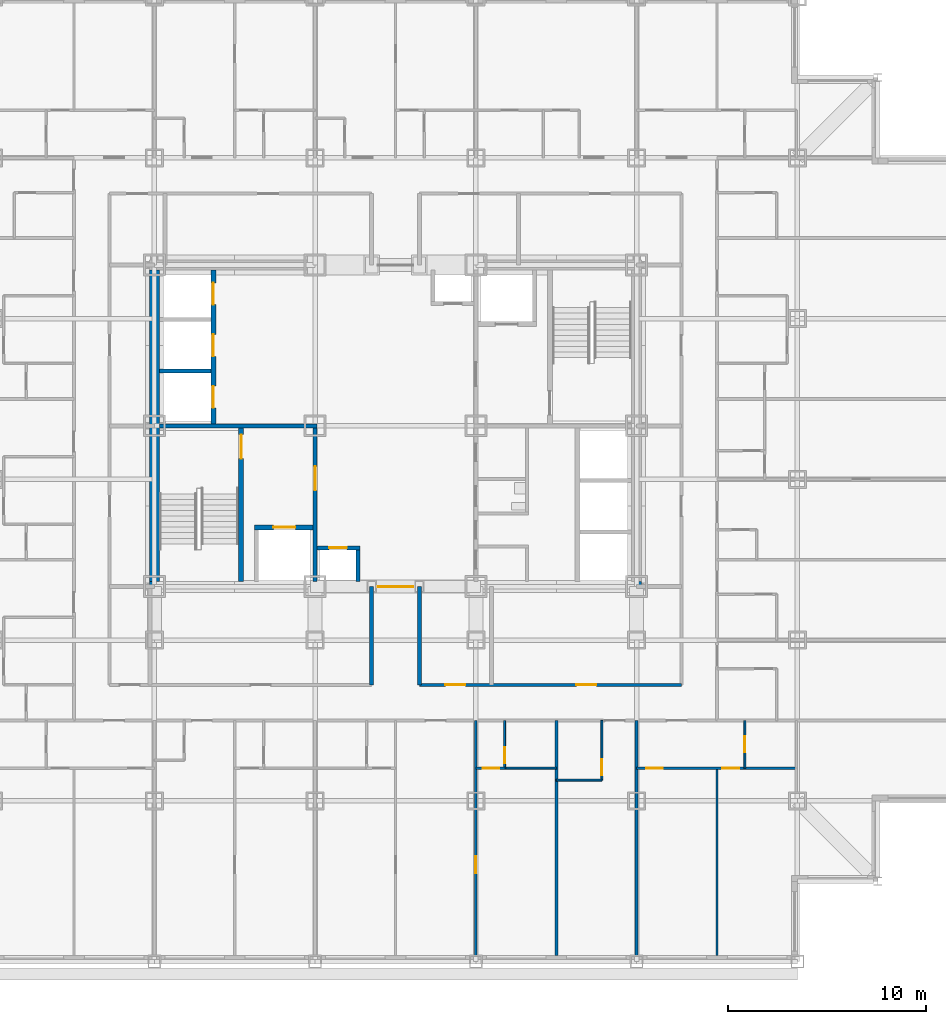
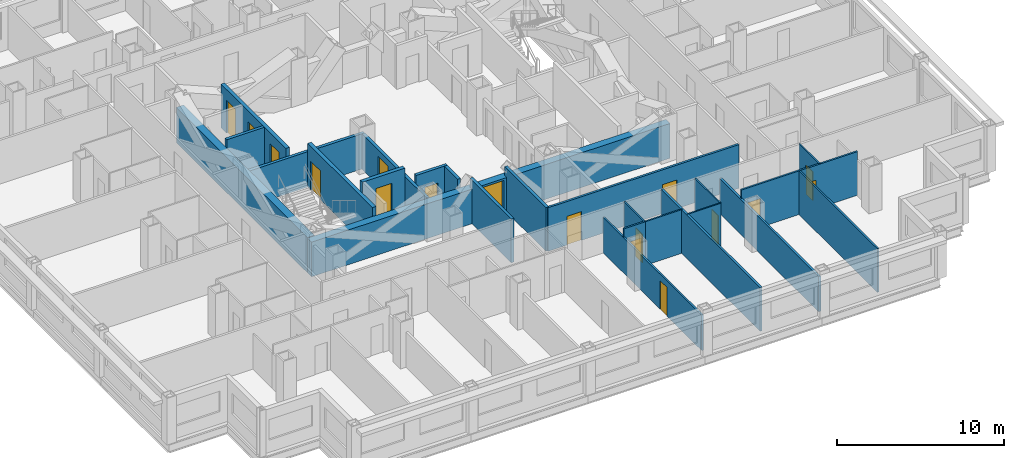
# One storey, part 6 of 13: 24 walls, 17 doors, 17 openings.
"""IFC4 building model written with IfcOpenShell, lengths in metres."""

from ifc_helpers import new_model, si_unit, direction, frame, frame_2d, origin, place, context, subcontext, project, spatial, rectangle, extrude, material, layer, layer_set, type_object, element, fill, save


model = new_model("IFC4")

# Units and contexts
model_context = context("Model", 3, precision=1e-05, world=origin(), true_north=direction((0.0, 1.0)))
body_context = subcontext(model_context, "Body", "Model", "MODEL_VIEW")
ifc_project = project(units=[si_unit("LENGTHUNIT", "METRE"), si_unit("AREAUNIT", "SQUARE_METRE"), si_unit("VOLUMEUNIT", "CUBIC_METRE"), si_unit("PLANEANGLEUNIT", "RADIAN"), si_unit("MASSUNIT", "GRAM", prefix="KILO")], contexts=[model_context])

# Site, building, storey
site_placement = place(None, origin())
site = spatial("IfcSite", under=ifc_project, at=site_placement, CompositionType="ELEMENT")
building_placement = place(site_placement, origin())
building = spatial("IfcBuilding", under=site, at=building_placement, Name="Kopane Lantern Tower", CompositionType="ELEMENT")
storey_placement = place(building_placement, frame((0.0, 0.0, 113.60009765625)))
storey = spatial("IfcBuildingStorey", under=building, at=storey_placement, Name="L28", CompositionType="ELEMENT", Elevation=113.60009765625)

# Wall, opening, door
ifc_material_1 = material(Name="Gypsum board on steel studs", Category="steel")
ifc_layer_1 = layer(ifc_material_1, 0.1201171875)
ifc_layer_set_1 = layer_set([ifc_layer_1], Name="APARTMENT INTERNAL WALL 120")
wall_type_1 = type_object("IfcWallType", Name="APARTMENT INTERNAL WALL 120", PredefinedType="PARTITIONING", material=ifc_layer_set_1)
wall_1_placement = place(storey_placement, frame((32.39990234375, 17.550048828125, 0.0), z_axis=(0.0, 0.0, 1.0), x_axis=(0.0, -1.0, 0.0)))
wall_1 = element("IfcWall", 1, at=wall_1_placement, inside=storey, type_object=wall_type_1, Name="Apartment Internal Wall 120 L28", PredefinedType="PARTITIONING", context=body_context, shape_type="SweptSolid", body=[
    extrude(rectangle(XDim=11.85009765625, YDim=0.1201171875, at=frame_2d((5.925048828125, 0.0))), origin(), (0.0, 0.0, 1.0), 2.57763671875),
])
opening_1_placement = place(wall_1_placement, frame((6.85009765625, 0.0, 0.0)))
opening_1 = element("IfcOpeningElement", 2, at=opening_1_placement, cuts=wall_1, Name="Opening L28-021", PredefinedType="OPENING", context=body_context, shape_type="SweptSolid", body=[
    extrude(rectangle(XDim=0.85009765625, YDim=2.10009765625, at=frame_2d((0.425048828125, 1.050048828125))), frame((0.0, 0.070068359375, 0.0), z_axis=(0.0, -1.0, 0.0), x_axis=(1.0, 0.0, 0.0)), (0.0, 0.0, 1.0), 0.14013671875),
])
ifc_material_2 = material(Name="Timber door set", Category="wood")
door_type_1 = type_object("IfcDoorType", Name="DOOR D4 850x2100", OperationType="SINGLE_SWING_LEFT", PredefinedType="DOOR", material=ifc_material_2)
door_1_placement = place(opening_1_placement, origin())
door_1 = element("IfcDoor", 3, at=door_1_placement, inside=storey, type_object=door_type_1, Name="Door L28-021", OperationType="SINGLE_SWING_LEFT", OverallHeight=2.10009765625, OverallWidth=0.85009765625, PredefinedType="DOOR", context=body_context, shape_type="SweptSolid", body=[
    extrude(rectangle(XDim=0.85009765625, YDim=2.10009765625, at=frame_2d((0.425048828125, 1.050048828125))), frame((0.0, 0.02490234375, 0.0), z_axis=(0.0, -1.0, 0.0), x_axis=(1.0, 0.0, 0.0)), (0.0, 0.0, 1.0), 0.050048828125),
])
fill(opening_1, door_1)

# Wall, openings, doors
wall_2_placement = place(storey_placement, frame((40.5, 15.14990234375, 0.0), z_axis=(0.0, 0.0, 1.0), x_axis=(1.0, 0.0, 0.0)))
wall_2 = element("IfcWall", 4, at=wall_2_placement, inside=storey, type_object=wall_type_1, Name="Apartment Internal Wall 120 L28", PredefinedType="PARTITIONING", context=body_context, shape_type="SweptSolid", body=[
    extrude(rectangle(XDim=8.050048828125, YDim=0.1201171875, at=frame_2d((4.02490234375, 0.0))), origin(), (0.0, 0.0, 1.0), 3.18994140625),
])
opening_2_placement = place(wall_2_placement, frame((0.47509765625, 0.0, 0.0)))
opening_2 = element("IfcOpeningElement", 5, at=opening_2_placement, cuts=wall_2, Name="Opening L28-064", PredefinedType="OPENING", context=body_context, shape_type="SweptSolid", body=[
    extrude(rectangle(XDim=0.85009765625, YDim=2.10009765625, at=frame_2d((0.425048828125, 1.050048828125))), frame((0.0, 0.070068359375, 0.0), z_axis=(0.0, -1.0, 0.0), x_axis=(1.0, 0.0, 0.0)), (0.0, 0.0, 1.0), 0.14013671875),
])
opening_3_placement = place(wall_2_placement, frame((4.324951171875, 0.0, 0.0)))
opening_3 = element("IfcOpeningElement", 6, at=opening_3_placement, cuts=wall_2, Name="Opening L28-066", PredefinedType="OPENING", context=body_context, shape_type="SweptSolid", body=[
    extrude(rectangle(XDim=0.85009765625, YDim=2.10009765625, at=frame_2d((0.425048828125, 1.050048828125))), frame((0.0, 0.070068359375, 0.0), z_axis=(0.0, -1.0, 0.0), x_axis=(1.0, 0.0, 0.0)), (0.0, 0.0, 1.0), 0.14013671875),
])
door_2_placement = place(opening_2_placement, origin())
door_2 = element("IfcDoor", 7, at=door_2_placement, inside=storey, type_object=door_type_1, Name="Door L28-064", OperationType="SINGLE_SWING_LEFT", OverallHeight=2.10009765625, OverallWidth=0.85009765625, PredefinedType="DOOR", context=body_context, shape_type="SweptSolid", body=[
    extrude(rectangle(XDim=0.85009765625, YDim=2.10009765625, at=frame_2d((0.425048828125, 1.050048828125))), frame((0.0, 0.02490234375, 0.0), z_axis=(0.0, -1.0, 0.0), x_axis=(1.0, 0.0, 0.0)), (0.0, 0.0, 1.0), 0.050048828125),
])
fill(opening_2, door_2)
door_3_placement = place(opening_3_placement, origin())
door_3 = element("IfcDoor", 8, at=door_3_placement, inside=storey, type_object=door_type_1, Name="Door L28-066", OperationType="SINGLE_SWING_RIGHT", OverallHeight=2.10009765625, OverallWidth=0.85009765625, PredefinedType="DOOR", context=body_context, shape_type="SweptSolid", body=[
    extrude(rectangle(XDim=0.85009765625, YDim=2.10009765625, at=frame_2d((0.425048828125, 1.050048828125))), frame((0.0, 0.02490234375, 0.0), z_axis=(0.0, -1.0, 0.0), x_axis=(1.0, 0.0, 0.0)), (0.0, 0.0, 1.0), 0.050048828125),
])
fill(opening_3, door_3)

# Wall
wall_3_placement = place(storey_placement, frame((44.550048828125, 15.14990234375, 0.0), z_axis=(0.0, 0.0, 1.0), x_axis=(0.0, -1.0, 0.0)))
element("IfcWall", 9, at=wall_3_placement, inside=storey, type_object=wall_type_1, Name="Apartment Internal Wall 120 L28", PredefinedType="PARTITIONING", context=body_context, shape_type="SweptSolid", body=[
    extrude(rectangle(XDim=9.449951171875, YDim=0.1201171875, at=frame_2d((4.72509765625, 0.0))), origin(), (0.0, 0.0, 1.0), 3.18994140625),
])

# Wall, opening, door
wall_4_placement = place(storey_placement, frame((33.860107421875, 15.14990234375, 0.0), z_axis=(0.0, 0.0, 1.0), x_axis=(-1.0, 0.0, 0.0)))
wall_4 = element("IfcWall", 10, at=wall_4_placement, inside=storey, type_object=wall_type_1, Name="Apartment Internal Wall 120 L28", PredefinedType="PARTITIONING", context=body_context, shape_type="SweptSolid", body=[
    extrude(rectangle(XDim=1.460205078125, YDim=0.1201171875, at=frame_2d((0.72998046875, 0.0))), origin(), (0.0, 0.0, 1.0), 3.18994140625),
])
opening_4_placement = place(wall_4_placement, frame((0.27490234375, 0.0, 0.0)))
opening_4 = element("IfcOpeningElement", 11, at=opening_4_placement, cuts=wall_4, Name="Opening L28-077", PredefinedType="OPENING", context=body_context, shape_type="SweptSolid", body=[
    extrude(rectangle(XDim=0.85009765625, YDim=2.10009765625, at=frame_2d((0.425048828125, 1.050048828125))), frame((0.0, 0.070068359375, 0.0), z_axis=(0.0, -1.0, 0.0), x_axis=(1.0, 0.0, 0.0)), (0.0, 0.0, 1.0), 0.14013671875),
])
door_4_placement = place(opening_4_placement, origin())
door_4 = element("IfcDoor", 12, at=door_4_placement, inside=storey, type_object=door_type_1, Name="Door L28-077", OperationType="SINGLE_SWING_RIGHT", OverallHeight=2.10009765625, OverallWidth=0.85009765625, PredefinedType="DOOR", context=body_context, shape_type="SweptSolid", body=[
    extrude(rectangle(XDim=0.85009765625, YDim=2.10009765625, at=frame_2d((0.425048828125, 1.050048828125))), frame((0.0, 0.02490234375, 0.0), z_axis=(0.0, -1.0, 0.0), x_axis=(1.0, 0.0, 0.0)), (0.0, 0.0, 1.0), 0.050048828125),
])
fill(opening_4, door_4)

# Wall
ifc_material_3 = material(Name="Moisture-resistant board on steel studs", Category="steel")
ifc_layer_2 = layer(ifc_material_3, 0.10009765625)
ifc_layer_set_2 = layer_set([ifc_layer_2], Name="BATHROOM WALL 100")
wall_type_2 = type_object("IfcWallType", Name="BATHROOM WALL 100", PredefinedType="PARTITIONING", material=ifc_layer_set_2)
wall_5_placement = place(storey_placement, frame((33.85009765625, 15.14990234375, 0.0), z_axis=(0.0, 0.0, 1.0), x_axis=(1.0, 0.0, 0.0)))
element("IfcWall", 13, at=wall_5_placement, inside=storey, type_object=wall_type_2, Name="Bathroom Wall 100 L28", PredefinedType="PARTITIONING", context=body_context, shape_type="SweptSolid", body=[
    extrude(rectangle(XDim=2.599853515625, YDim=0.10009765625, at=frame_2d((1.2998046875, 0.0))), origin(), (0.0, 0.0, 1.0), 3.18994140625),
])

# Wall, opening, door
wall_6_placement = place(storey_placement, frame((33.85009765625, 17.550048828125, 0.0), z_axis=(0.0, 0.0, 1.0), x_axis=(0.0, -1.0, 0.0)))
wall_6 = element("IfcWall", 14, at=wall_6_placement, inside=storey, type_object=wall_type_2, Name="Bathroom Wall 100 L28", PredefinedType="PARTITIONING", context=body_context, shape_type="SweptSolid", body=[
    extrude(rectangle(XDim=2.400146484375, YDim=0.10009765625, at=frame_2d((1.2001953125, 0.0))), origin(), (0.0, 0.0, 1.0), 3.18994140625),
])
opening_5_placement = place(wall_6_placement, frame((1.35009765625, 0.0, 0.0)))
opening_5 = element("IfcOpeningElement", 15, at=opening_5_placement, cuts=wall_6, Name="Opening L28-020", PredefinedType="OPENING", context=body_context, shape_type="SweptSolid", body=[
    extrude(rectangle(XDim=0.800048828125, YDim=2.10009765625, at=frame_2d((0.39990234375, 1.050048828125))), frame((0.0, 0.06005859375, 0.0), z_axis=(0.0, -1.0, 0.0), x_axis=(1.0, 0.0, 0.0)), (0.0, 0.0, 1.0), 0.1201171875),
])
ifc_material_4 = material(Name="Timber door set", Category="wood")
door_type_2 = type_object("IfcDoorType", Name="DOOR D2 800x2100", OperationType="SINGLE_SWING_LEFT", PredefinedType="DOOR", material=ifc_material_4)
door_5_placement = place(opening_5_placement, origin())
door_5 = element("IfcDoor", 16, at=door_5_placement, inside=storey, type_object=door_type_2, Name="Door L28-020", OperationType="SINGLE_SWING_LEFT", OverallHeight=2.10009765625, OverallWidth=0.800048828125, PredefinedType="DOOR", context=body_context, shape_type="SweptSolid", body=[
    extrude(rectangle(XDim=0.800048828125, YDim=2.10009765625, at=frame_2d((0.39990234375, 1.050048828125))), frame((0.0, 0.02490234375, 0.0), z_axis=(0.0, -1.0, 0.0), x_axis=(1.0, 0.0, 0.0)), (0.0, 0.0, 1.0), 0.050048828125),
])
fill(opening_5, door_5)

# Wall
wall_7_placement = place(storey_placement, frame((36.449951171875, 14.550048828125, 0.0), z_axis=(0.0, 0.0, 1.0), x_axis=(1.0, 0.0, 0.0)))
element("IfcWall", 17, at=wall_7_placement, inside=storey, type_object=wall_type_2, Name="Bathroom Wall 100 L28", PredefinedType="PARTITIONING", context=body_context, shape_type="SweptSolid", body=[
    extrude(rectangle(XDim=2.300048828125, YDim=0.10009765625, at=frame_2d((1.14990234375, 0.0))), origin(), (0.0, 0.0, 1.0), 3.18994140625),
])

# Wall, opening, door
wall_8_placement = place(storey_placement, frame((38.75, 17.550048828125, 0.0), z_axis=(0.0, 0.0, 1.0), x_axis=(0.0, -1.0, 0.0)))
wall_8 = element("IfcWall", 18, at=wall_8_placement, inside=storey, type_object=wall_type_2, Name="Bathroom Wall 100 L28", PredefinedType="PARTITIONING", context=body_context, shape_type="SweptSolid", body=[
    extrude(rectangle(XDim=3.0, YDim=0.10009765625, at=frame_2d((1.5, 0.0))), origin(), (0.0, 0.0, 1.0), 3.18994140625),
])
opening_6_placement = place(wall_8_placement, frame((1.949951171875, 0.0, 0.0)))
opening_6 = element("IfcOpeningElement", 19, at=opening_6_placement, cuts=wall_8, Name="Opening L28-022", PredefinedType="OPENING", context=body_context, shape_type="SweptSolid", body=[
    extrude(rectangle(XDim=0.800048828125, YDim=2.10009765625, at=frame_2d((0.39990234375, 1.050048828125))), frame((0.0, 0.06005859375, 0.0), z_axis=(0.0, -1.0, 0.0), x_axis=(1.0, 0.0, 0.0)), (0.0, 0.0, 1.0), 0.1201171875),
])
door_6_placement = place(opening_6_placement, origin())
door_6 = element("IfcDoor", 20, at=door_6_placement, inside=storey, type_object=door_type_2, Name="Door L28-022", OperationType="SINGLE_SWING_LEFT", OverallHeight=2.10009765625, OverallWidth=0.800048828125, PredefinedType="DOOR", context=body_context, shape_type="SweptSolid", body=[
    extrude(rectangle(XDim=0.800048828125, YDim=2.10009765625, at=frame_2d((0.39990234375, 1.050048828125))), frame((0.0, 0.02490234375, 0.0), z_axis=(0.0, -1.0, 0.0), x_axis=(1.0, 0.0, 0.0)), (0.0, 0.0, 1.0), 0.050048828125),
])
fill(opening_6, door_6)

wall_9_placement = place(storey_placement, frame((45.949951171875, 17.550048828125, 0.0), z_axis=(0.0, 0.0, 1.0), x_axis=(0.0, -1.0, 0.0)))
wall_9 = element("IfcWall", 21, at=wall_9_placement, inside=storey, type_object=wall_type_2, Name="Bathroom Wall 100 L28", PredefinedType="PARTITIONING", context=body_context, shape_type="SweptSolid", body=[
    extrude(rectangle(XDim=2.400146484375, YDim=0.10009765625, at=frame_2d((1.2001953125, 0.0))), origin(), (0.0, 0.0, 1.0), 3.18994140625),
])
opening_7_placement = place(wall_9_placement, frame((0.800048828125, 0.0, 0.0)))
opening_7 = element("IfcOpeningElement", 22, at=opening_7_placement, cuts=wall_9, Name="Opening L28-065", PredefinedType="OPENING", context=body_context, shape_type="SweptSolid", body=[
    extrude(rectangle(XDim=0.800048828125, YDim=2.10009765625, at=frame_2d((0.39990234375, 1.050048828125))), frame((0.0, 0.06005859375, 0.0), z_axis=(0.0, -1.0, 0.0), x_axis=(1.0, 0.0, 0.0)), (0.0, 0.0, 1.0), 0.1201171875),
])
door_7_placement = place(opening_7_placement, origin())
door_7 = element("IfcDoor", 23, at=door_7_placement, inside=storey, type_object=door_type_2, Name="Door L28-065", OperationType="SINGLE_SWING_LEFT", OverallHeight=2.10009765625, OverallWidth=0.800048828125, PredefinedType="DOOR", context=body_context, shape_type="SweptSolid", body=[
    extrude(rectangle(XDim=0.800048828125, YDim=2.10009765625, at=frame_2d((0.39990234375, 1.050048828125))), frame((0.0, 0.02490234375, 0.0), z_axis=(0.0, -1.0, 0.0), x_axis=(1.0, 0.0, 0.0)), (0.0, 0.0, 1.0), 0.050048828125),
])
fill(opening_7, door_7)

ifc_material_5 = material(Name="Gypsum shaft wall EI 120", Category="gypsum")
ifc_layer_3 = layer(ifc_material_5, 0.5)
ifc_layer_set_3 = layer_set([ifc_layer_3], Name="CORE PERIMETER WALL 500 EI 120")
wall_type_3 = type_object("IfcWallType", Name="CORE PERIMETER WALL 500 EI 120", PredefinedType="SOLIDWALL", material=ifc_layer_set_3)
wall_10_placement = place(storey_placement, frame((15.949951171875, 24.300048828125, 0.0), z_axis=(0.0, 0.0, 1.0), x_axis=(1.0, 0.0, 0.0)))
wall_10 = element("IfcWall", 24, at=wall_10_placement, inside=storey, type_object=wall_type_3, Name="Core shaft wall L28 PS", PredefinedType="SOLIDWALL", context=body_context, shape_type="SweptSolid", body=[
    extrude(rectangle(XDim=24.800048828125, YDim=0.5, at=frame_2d((12.39990234375, 0.0))), origin(), (0.0, 0.0, 1.0), 2.539794921875),
])
opening_8_placement = place(wall_10_placement, frame((11.5, 0.0, 0.0)))
opening_8 = element("IfcOpeningElement", 25, at=opening_8_placement, cuts=wall_10, Name="Opening 28.CE-S", PredefinedType="OPENING", context=body_context, shape_type="SweptSolid", body=[
    extrude(rectangle(XDim=1.800048828125, YDim=2.39990234375, at=frame_2d((0.89990234375, 1.199951171875))), frame((0.0, 0.260009765625, 0.0), z_axis=(0.0, -1.0, 0.0), x_axis=(1.0, 0.0, 0.0)), (0.0, 0.0, 1.0), 0.52001953125),
])
ifc_material_6 = material(Name="Steel door set", Category="steel")
door_type_3 = type_object("IfcDoorType", Name="CORE ENTRY DOOR 1800x2400 FD60S", OperationType="DOUBLE_DOOR_SINGLE_SWING", PredefinedType="DOOR", material=ifc_material_6)
door_8_placement = place(opening_8_placement, origin())
door_8 = element("IfcDoor", 26, at=door_8_placement, inside=storey, type_object=door_type_3, Name="Core entry door L28 south", OperationType="DOUBLE_DOOR_SINGLE_SWING", OverallHeight=2.39990234375, OverallWidth=1.800048828125, PredefinedType="DOOR", context=body_context, shape_type="SweptSolid", body=[
    extrude(rectangle(XDim=1.800048828125, YDim=2.39990234375, at=frame_2d((0.89990234375, 1.199951171875))), frame((0.0, 0.02490234375, 0.0), z_axis=(0.0, -1.0, 0.0), x_axis=(1.0, 0.0, 0.0)), (0.0, 0.0, 1.0), 0.050048828125),
])
fill(opening_8, door_8)

# Wall
wall_11_placement = place(storey_placement, frame((16.199951171875, 24.550048828125, 0.0), z_axis=(0.0, 0.0, 1.0), x_axis=(0.0, 1.0, 0.0)))
element("IfcWall", 27, at=wall_11_placement, inside=storey, type_object=wall_type_3, Name="Core shaft wall L28 PW", PredefinedType="SOLIDWALL", context=body_context, shape_type="SweptSolid", body=[
    extrude(rectangle(XDim=15.699951171875, YDim=0.5, at=frame_2d((7.85009765625, 0.0))), origin(), (0.0, 0.0, 1.0), 2.57763671875),
])

# Wall, opening, door
ifc_material_7 = material(Name="Gypsum shaft wall EI 120", Category="gypsum")
ifc_layer_4 = layer(ifc_material_7, 0.25)
ifc_layer_set_4 = layer_set([ifc_layer_4], Name="CORE SHAFT WALL 250 EI 120")
wall_type_4 = type_object("IfcWallType", Name="CORE SHAFT WALL 250 EI 120", PredefinedType="SOLIDWALL", material=ifc_layer_set_4)
wall_12_placement = place(storey_placement, frame((20.574951171875, 24.550048828125, 0.0), z_axis=(0.0, 0.0, 1.0), x_axis=(0.0, 1.0, 0.0)))
wall_12 = element("IfcWall", 28, at=wall_12_placement, inside=storey, type_object=wall_type_4, Name="Core shaft wall L28 XST1", PredefinedType="SOLIDWALL", context=body_context, shape_type="SweptSolid", body=[
    extrude(rectangle(XDim=7.75, YDim=0.25, at=frame_2d((3.875, 0.0))), origin(), (0.0, 0.0, 1.0), 3.18994140625),
])
opening_9_placement = place(wall_12_placement, frame((6.199951171875, 0.0, 0.0)))
opening_9 = element("IfcOpeningElement", 29, at=opening_9_placement, cuts=wall_12, Name="Opening 28.SD1", PredefinedType="OPENING", context=body_context, shape_type="SweptSolid", body=[
    extrude(rectangle(XDim=1.199951171875, YDim=2.10009765625, at=frame_2d((0.60009765625, 1.050048828125))), frame((0.0, 0.135009765625, 0.0), z_axis=(0.0, -1.0, 0.0), x_axis=(1.0, 0.0, 0.0)), (0.0, 0.0, 1.0), 0.27001953125),
])
ifc_material_8 = material(Name="Steel door set", Category="steel")
door_type_4 = type_object("IfcDoorType", Name="STAIR DOOR 1200x2100 FD60S", OperationType="SINGLE_SWING_LEFT", PredefinedType="DOOR", material=ifc_material_8)
door_9_placement = place(opening_9_placement, origin())
door_9 = element("IfcDoor", 30, at=door_9_placement, inside=storey, type_object=door_type_4, Name="Stair door ST1 L28", OperationType="SINGLE_SWING_LEFT", OverallHeight=2.10009765625, OverallWidth=1.199951171875, PredefinedType="DOOR", context=body_context, shape_type="SweptSolid", body=[
    extrude(rectangle(XDim=1.199951171875, YDim=2.10009765625, at=frame_2d((0.60009765625, 1.050048828125))), frame((0.0, 0.02490234375, 0.0), z_axis=(0.0, -1.0, 0.0), x_axis=(1.0, 0.0, 0.0)), (0.0, 0.0, 1.0), 0.050048828125),
])
fill(opening_9, door_9)

wall_13_placement = place(storey_placement, frame((21.25, 27.27490234375, 0.0), z_axis=(0.0, 0.0, 1.0), x_axis=(1.0, 0.0, 0.0)))
wall_13 = element("IfcWall", 31, at=wall_13_placement, inside=storey, type_object=wall_type_4, Name="Core shaft wall L28 YLF1", PredefinedType="SOLIDWALL", context=body_context, shape_type="SweptSolid", body=[
    extrude(rectangle(XDim=2.949951171875, YDim=0.25, at=frame_2d((1.47509765625, 0.0))), origin(), (0.0, 0.0, 1.0), 3.18994140625),
])
opening_10_placement = place(wall_13_placement, frame((0.949951171875, 0.0, 0.0)))
opening_10 = element("IfcOpeningElement", 32, at=opening_10_placement, cuts=wall_13, Name="Opening 28.LD-LF1", PredefinedType="OPENING", context=body_context, shape_type="SweptSolid", body=[
    extrude(rectangle(XDim=1.10009765625, YDim=2.39990234375, at=frame_2d((0.550048828125, 1.199951171875))), frame((0.0, 0.135009765625, 0.0), z_axis=(0.0, -1.0, 0.0), x_axis=(1.0, 0.0, 0.0)), (0.0, 0.0, 1.0), 0.27001953125),
])
ifc_material_9 = material(Name="Steel door set", Category="steel")
door_type_5 = type_object("IfcDoorType", Name="LIFT LANDING DOOR 1100x2400 FD60", OperationType="DOUBLE_DOOR_SLIDING", PredefinedType="DOOR", material=ifc_material_9)
door_10_placement = place(opening_10_placement, origin())
door_10 = element("IfcDoor", 33, at=door_10_placement, inside=storey, type_object=door_type_5, Name="Landing door LF1 L28", OperationType="DOUBLE_DOOR_SLIDING", OverallHeight=2.39990234375, OverallWidth=1.10009765625, PredefinedType="DOOR", context=body_context, shape_type="SweptSolid", body=[
    extrude(rectangle(XDim=1.10009765625, YDim=2.39990234375, at=frame_2d((0.550048828125, 1.199951171875))), frame((0.0, 0.02490234375, 0.0), z_axis=(0.0, -1.0, 0.0), x_axis=(1.0, 0.0, 0.0)), (0.0, 0.0, 1.0), 0.050048828125),
])
fill(opening_10, door_10)

# Wall, openings, doors
wall_14_placement = place(storey_placement, frame((19.175048828125, 32.5, 0.0), z_axis=(0.0, 0.0, 1.0), x_axis=(0.0, 1.0, 0.0)))
wall_14 = element("IfcWall", 34, at=wall_14_placement, inside=storey, type_object=wall_type_4, Name="Core shaft wall L28 XLH", PredefinedType="SOLIDWALL", context=body_context, shape_type="SweptSolid", body=[
    extrude(rectangle(XDim=7.75, YDim=0.25, at=frame_2d((3.875, 0.0))), origin(), (0.0, 0.0, 1.0), 3.18994140625),
])
opening_11_placement = place(wall_14_placement, frame((0.800048828125, 0.0, 0.0)))
opening_11 = element("IfcOpeningElement", 35, at=opening_11_placement, cuts=wall_14, Name="Opening 28.LD-LH1", PredefinedType="OPENING", context=body_context, shape_type="SweptSolid", body=[
    extrude(rectangle(XDim=1.10009765625, YDim=2.39990234375, at=frame_2d((0.550048828125, 1.199951171875))), frame((0.0, 0.135009765625, 0.0), z_axis=(0.0, -1.0, 0.0), x_axis=(1.0, 0.0, 0.0)), (0.0, 0.0, 1.0), 0.27001953125),
])
opening_12_placement = place(wall_14_placement, frame((3.39990234375, 0.0, 0.0)))
opening_12 = element("IfcOpeningElement", 36, at=opening_12_placement, cuts=wall_14, Name="Opening 28.LD-LH2", PredefinedType="OPENING", context=body_context, shape_type="SweptSolid", body=[
    extrude(rectangle(XDim=1.10009765625, YDim=2.39990234375, at=frame_2d((0.550048828125, 1.199951171875))), frame((0.0, 0.135009765625, 0.0), z_axis=(0.0, -1.0, 0.0), x_axis=(1.0, 0.0, 0.0)), (0.0, 0.0, 1.0), 0.27001953125),
])
opening_13_placement = place(wall_14_placement, frame((6.0, 0.0, 0.0)))
opening_13 = element("IfcOpeningElement", 37, at=opening_13_placement, cuts=wall_14, Name="Opening 28.LD-LH3", PredefinedType="OPENING", context=body_context, shape_type="SweptSolid", body=[
    extrude(rectangle(XDim=1.10009765625, YDim=2.39990234375, at=frame_2d((0.550048828125, 1.199951171875))), frame((0.0, 0.135009765625, 0.0), z_axis=(0.0, -1.0, 0.0), x_axis=(1.0, 0.0, 0.0)), (0.0, 0.0, 1.0), 0.27001953125),
])
door_11_placement = place(opening_11_placement, origin())
door_11 = element("IfcDoor", 38, at=door_11_placement, inside=storey, type_object=door_type_5, Name="Landing door LH1 L28", OperationType="DOUBLE_DOOR_SLIDING", OverallHeight=2.39990234375, OverallWidth=1.10009765625, PredefinedType="DOOR", context=body_context, shape_type="SweptSolid", body=[
    extrude(rectangle(XDim=1.10009765625, YDim=2.39990234375, at=frame_2d((0.550048828125, 1.199951171875))), frame((0.0, 0.02490234375, 0.0), z_axis=(0.0, -1.0, 0.0), x_axis=(1.0, 0.0, 0.0)), (0.0, 0.0, 1.0), 0.050048828125),
])
fill(opening_11, door_11)
door_12_placement = place(opening_12_placement, origin())
door_12 = element("IfcDoor", 39, at=door_12_placement, inside=storey, type_object=door_type_5, Name="Landing door LH2 L28", OperationType="DOUBLE_DOOR_SLIDING", OverallHeight=2.39990234375, OverallWidth=1.10009765625, PredefinedType="DOOR", context=body_context, shape_type="SweptSolid", body=[
    extrude(rectangle(XDim=1.10009765625, YDim=2.39990234375, at=frame_2d((0.550048828125, 1.199951171875))), frame((0.0, 0.02490234375, 0.0), z_axis=(0.0, -1.0, 0.0), x_axis=(1.0, 0.0, 0.0)), (0.0, 0.0, 1.0), 0.050048828125),
])
fill(opening_12, door_12)
door_13_placement = place(opening_13_placement, origin())
door_13 = element("IfcDoor", 40, at=door_13_placement, inside=storey, type_object=door_type_5, Name="Landing door LH3 L28", OperationType="DOUBLE_DOOR_SLIDING", OverallHeight=2.39990234375, OverallWidth=1.10009765625, PredefinedType="DOOR", context=body_context, shape_type="SweptSolid", body=[
    extrude(rectangle(XDim=1.10009765625, YDim=2.39990234375, at=frame_2d((0.550048828125, 1.199951171875))), frame((0.0, 0.02490234375, 0.0), z_axis=(0.0, -1.0, 0.0), x_axis=(1.0, 0.0, 0.0)), (0.0, 0.0, 1.0), 0.050048828125),
])
fill(opening_13, door_13)

ifc_material_10 = material(Name="Gypsum board on steel studs", Category="steel")
ifc_layer_5 = layer(ifc_material_10, 0.14990234375)
ifc_layer_set_5 = layer_set([ifc_layer_5], Name="CORRIDOR WALL 150 EI 60")
wall_type_5 = type_object("IfcWallType", Name="CORRIDOR WALL 150 EI 60", PredefinedType="PARTITIONING", material=ifc_layer_set_5)
wall_15_placement = place(storey_placement, frame((29.56005859375, 19.35009765625, 0.0), z_axis=(0.0, 0.0, 1.0), x_axis=(1.0, 0.0, 0.0)))
wall_15 = element("IfcWall", 41, at=wall_15_placement, inside=storey, type_object=wall_type_5, Name="Corridor Wall 150 Ei 60 L28", PredefinedType="PARTITIONING", context=body_context, shape_type="SweptSolid", body=[
    extrude(rectangle(XDim=13.18994140625, YDim=0.14990234375, at=frame_2d((6.594970703125, 0.0))), origin(), (0.0, 0.0, 1.0), 3.18994140625),
])
opening_14_placement = place(wall_15_placement, frame((1.30810546875, 0.0, 0.0)))
opening_14 = element("IfcOpeningElement", 42, at=opening_14_placement, cuts=wall_15, Name="Opening L28-007", PredefinedType="OPENING", context=body_context, shape_type="SweptSolid", body=[
    extrude(rectangle(XDim=1.0, YDim=2.10009765625, at=frame_2d((0.5, 1.050048828125))), frame((0.0, 0.0849609375, 0.0), z_axis=(0.0, -1.0, 0.0), x_axis=(1.0, 0.0, 0.0)), (0.0, 0.0, 1.0), 0.169921875),
])
opening_15_placement = place(wall_15_placement, frame((7.908203125, 0.0, 0.0)))
opening_15 = element("IfcOpeningElement", 43, at=opening_15_placement, cuts=wall_15, Name="Opening L28-008", PredefinedType="OPENING", context=body_context, shape_type="SweptSolid", body=[
    extrude(rectangle(XDim=1.0, YDim=2.10009765625, at=frame_2d((0.5, 1.050048828125))), frame((0.0, 0.0849609375, 0.0), z_axis=(0.0, -1.0, 0.0), x_axis=(1.0, 0.0, 0.0)), (0.0, 0.0, 1.0), 0.169921875),
])
ifc_material_11 = material(Name="Steel door set", Category="steel")
door_type_6 = type_object("IfcDoorType", Name="DOOR D5 1000x2100 FD60", OperationType="SINGLE_SWING_LEFT", PredefinedType="DOOR", material=ifc_material_11)
door_14_placement = place(opening_14_placement, origin())
door_14 = element("IfcDoor", 44, at=door_14_placement, inside=storey, type_object=door_type_6, Name="Door L28-007", OperationType="SINGLE_SWING_LEFT", OverallHeight=2.10009765625, OverallWidth=1.0, PredefinedType="DOOR", context=body_context, shape_type="SweptSolid", body=[
    extrude(rectangle(XDim=1.0, YDim=2.10009765625, at=frame_2d((0.5, 1.050048828125))), frame((0.0, 0.02490234375, 0.0), z_axis=(0.0, -1.0, 0.0), x_axis=(1.0, 0.0, 0.0)), (0.0, 0.0, 1.0), 0.050048828125),
])
fill(opening_14, door_14)
door_15_placement = place(opening_15_placement, origin())
door_15 = element("IfcDoor", 45, at=door_15_placement, inside=storey, type_object=door_type_6, Name="Door L28-008", OperationType="SINGLE_SWING_RIGHT", OverallHeight=2.10009765625, OverallWidth=1.0, PredefinedType="DOOR", context=body_context, shape_type="SweptSolid", body=[
    extrude(rectangle(XDim=1.0, YDim=2.10009765625, at=frame_2d((0.5, 1.050048828125))), frame((0.0, 0.02490234375, 0.0), z_axis=(0.0, -1.0, 0.0), x_axis=(1.0, 0.0, 0.0)), (0.0, 0.0, 1.0), 0.050048828125),
])
fill(opening_15, door_15)

# Walls
ifc_material_12 = material(Name="Gypsum board on steel studs", Category="steel")
ifc_layer_6 = layer(ifc_material_12, 0.14990234375)
ifc_layer_set_6 = layer_set([ifc_layer_6], Name="DEMISING WALL 150 EI 60")
wall_type_6 = type_object("IfcWallType", Name="DEMISING WALL 150 EI 60", PredefinedType="PARTITIONING", material=ifc_layer_set_6)
wall_16_placement = place(storey_placement, frame((36.449951171875, 17.550048828125, 0.0), z_axis=(0.0, 0.0, 1.0), x_axis=(0.0, -1.0, 0.0)))
element("IfcWall", 46, at=wall_16_placement, inside=storey, type_object=wall_type_6, Name="Demising Wall 150 Ei 60 L28", PredefinedType="PARTITIONING", context=body_context, shape_type="SweptSolid", body=[
    extrude(rectangle(XDim=11.85009765625, YDim=0.14990234375, at=frame_2d((5.925048828125, 0.0))), origin(), (0.0, 0.0, 1.0), 3.18994140625),
])
wall_17_placement = place(storey_placement, frame((40.5, 17.550048828125, 0.0), z_axis=(0.0, 0.0, 1.0), x_axis=(0.0, -1.0, 0.0)))
element("IfcWall", 47, at=wall_17_placement, inside=storey, type_object=wall_type_6, Name="Demising Wall 150 Ei 60 L28", PredefinedType="PARTITIONING", context=body_context, shape_type="SweptSolid", body=[
    extrude(rectangle(XDim=11.85009765625, YDim=0.14990234375, at=frame_2d((5.925048828125, 0.0))), origin(), (0.0, 0.0, 1.0), 2.57763671875),
])
ifc_material_13 = material(Name="Concrete masonry", Category="masonry")
ifc_layer_7 = layer(ifc_material_13, 0.199951171875)
ifc_layer_set_7 = layer_set([ifc_layer_7], Name="PLANT ROOM WALL 200 EI 120")
wall_type_7 = type_object("IfcWallType", Name="PLANT ROOM WALL 200 EI 120", PredefinedType="SOLIDWALL", material=ifc_layer_set_7)
for number, where, z_axis, x_axis, name in (
    (48, (27.14990234375, 19.35009765625, 0.0), (0.0, 0.0, 1.0), (0.0, 1.0, 0.0), "Plant Room Wall 200 Ei 120 L28"),
    (49, (29.550048828125, 19.35009765625, 0.0), (0.0, 0.0, 1.0), (0.0, 1.0, 0.0), "Plant Room Wall 200 Ei 120 L28"),
):
    element("IfcWall", number, at=place(storey_placement, frame(where, z_axis=z_axis, x_axis=x_axis)), inside=storey, type_object=wall_type_7, Name=name, PredefinedType="SOLIDWALL", context=body_context, shape_type="SweptSolid", body=[
        extrude(rectangle(XDim=4.949951171875, YDim=0.199951171875, at=frame_2d((2.47509765625, 0.0))), origin(), (0.0, 0.0, 1.0), 3.18994140625),
    ])
ifc_material_14 = material(Name="Gypsum shaft wall EI 120", Category="gypsum")
ifc_layer_8 = layer(ifc_material_14, 0.199951171875)
ifc_layer_set_8 = layer_set([ifc_layer_8], Name="SHAFT WALL 200 EI 120")
wall_type_8 = type_object("IfcWallType", Name="SHAFT WALL 200 EI 120", PredefinedType="SOLIDWALL", material=ifc_layer_set_8)
wall_18_placement = place(storey_placement, frame((16.449951171875, 32.39990234375, 0.0), z_axis=(0.0, 0.0, 1.0), x_axis=(1.0, 0.0, 0.0)))
element("IfcWall", 50, at=wall_18_placement, inside=storey, type_object=wall_type_8, Name="Core shaft wall L28 Y324W", PredefinedType="SOLIDWALL", context=body_context, shape_type="SweptSolid", body=[
    extrude(rectangle(XDim=7.949951171875, YDim=0.199951171875, at=frame_2d((3.97509765625, 0.0))), origin(), (0.0, 0.0, 1.0), 2.57763671875),
])

# Wall, opening, door
wall_19_placement = place(storey_placement, frame((24.300048828125, 24.550048828125, 0.0), z_axis=(0.0, 0.0, 1.0), x_axis=(0.0, 1.0, 0.0)))
wall_19 = element("IfcWall", 51, at=wall_19_placement, inside=storey, type_object=wall_type_8, Name="Core shaft wall L28 X243", PredefinedType="SOLIDWALL", context=body_context, shape_type="SweptSolid", body=[
    extrude(rectangle(XDim=7.75, YDim=0.199951171875, at=frame_2d((3.875, 0.0))), origin(), (0.0, 0.0, 1.0), 2.57763671875),
])
opening_16_placement = place(wall_19_placement, frame((4.60009765625, 0.0, 0.0)))
opening_16 = element("IfcOpeningElement", 52, at=opening_16_placement, cuts=wall_19, Name="Opening 28.FL1", PredefinedType="OPENING", context=body_context, shape_type="SweptSolid", body=[
    extrude(rectangle(XDim=1.199951171875, YDim=2.10009765625, at=frame_2d((0.60009765625, 1.050048828125))), frame((0.0, 0.10986328125, 0.0), z_axis=(0.0, -1.0, 0.0), x_axis=(1.0, 0.0, 0.0)), (0.0, 0.0, 1.0), 0.219970703125),
])
ifc_material_15 = material(Name="Steel door set", Category="steel")
door_type_7 = type_object("IfcDoorType", Name="FIREFIGHTING LOBBY DOOR 1200x2100 FD60S", OperationType="SINGLE_SWING_RIGHT", PredefinedType="DOOR", material=ifc_material_15)
door_16_placement = place(opening_16_placement, origin())
door_16 = element("IfcDoor", 53, at=door_16_placement, inside=storey, type_object=door_type_7, Name="Firefighting lobby door FL1 L28", OperationType="SINGLE_SWING_LEFT", OverallHeight=2.10009765625, OverallWidth=1.199951171875, PredefinedType="DOOR", context=body_context, shape_type="SweptSolid", body=[
    extrude(rectangle(XDim=1.199951171875, YDim=2.10009765625, at=frame_2d((0.60009765625, 1.050048828125))), frame((0.0, 0.02490234375, 0.0), z_axis=(0.0, -1.0, 0.0), x_axis=(1.0, 0.0, 0.0)), (0.0, 0.0, 1.0), 0.050048828125),
])
fill(opening_16, door_16)

# Walls
wall_20_placement = place(storey_placement, frame((16.449951171875, 35.14990234375, 0.0), z_axis=(0.0, 0.0, 1.0), x_axis=(1.0, 0.0, 0.0)))
element("IfcWall", 54, at=wall_20_placement, inside=storey, type_object=wall_type_8, Name="Core shaft wall L28 YLH12", PredefinedType="SOLIDWALL", context=body_context, shape_type="SweptSolid", body=[
    extrude(rectangle(XDim=2.60009765625, YDim=0.199951171875, at=frame_2d((1.300048828125, 0.0))), origin(), (0.0, 0.0, 1.0), 3.18994140625),
])
wall_21_placement = place(storey_placement, frame((26.449951171875, 24.550048828125, 0.0), z_axis=(0.0, 0.0, 1.0), x_axis=(0.0, 1.0, 0.0)))
element("IfcWall", 55, at=wall_21_placement, inside=storey, type_object=wall_type_8, Name="Core shaft wall L28 XRS1", PredefinedType="SOLIDWALL", context=body_context, shape_type="SweptSolid", body=[
    extrude(rectangle(XDim=1.599853515625, YDim=0.199951171875, at=frame_2d((0.7998046875, 0.0))), origin(), (0.0, 0.0, 1.0), 3.18994140625),
])

# Wall, opening, door
wall_22_placement = place(storey_placement, frame((24.39990234375, 26.25, 0.0), z_axis=(0.0, 0.0, 1.0), x_axis=(1.0, 0.0, 0.0)))
wall_22 = element("IfcWall", 56, at=wall_22_placement, inside=storey, type_object=wall_type_8, Name="Core shaft wall L28 YRS1", PredefinedType="SOLIDWALL", context=body_context, shape_type="SweptSolid", body=[
    extrude(rectangle(XDim=2.150146484375, YDim=0.199951171875, at=frame_2d((1.0751953125, 0.0))), origin(), (0.0, 0.0, 1.0), 3.18994140625),
])
opening_17_placement = place(wall_22_placement, frame((0.60009765625, 0.0, 0.0)))
opening_17 = element("IfcOpeningElement", 57, at=opening_17_placement, cuts=wall_22, Name="Opening 28.RS1", PredefinedType="OPENING", context=body_context, shape_type="SweptSolid", body=[
    extrude(rectangle(XDim=0.89990234375, YDim=2.10009765625, at=frame_2d((0.449951171875, 1.050048828125))), frame((0.0, 0.10986328125, 0.0), z_axis=(0.0, -1.0, 0.0), x_axis=(1.0, 0.0, 0.0)), (0.0, 0.0, 1.0), 0.219970703125),
])
ifc_material_16 = material(Name="Steel door set", Category="steel")
door_type_8 = type_object("IfcDoorType", Name="RISER ACCESS DOOR 900x2100 FD60", OperationType="SINGLE_SWING_LEFT", PredefinedType="DOOR", material=ifc_material_16)
door_17_placement = place(opening_17_placement, origin())
door_17 = element("IfcDoor", 58, at=door_17_placement, inside=storey, type_object=door_type_8, Name="Riser access door RS1 L28", OperationType="SINGLE_SWING_LEFT", OverallHeight=2.10009765625, OverallWidth=0.89990234375, PredefinedType="DOOR", context=body_context, shape_type="SweptSolid", body=[
    extrude(rectangle(XDim=0.89990234375, YDim=2.10009765625, at=frame_2d((0.449951171875, 1.050048828125))), frame((0.0, 0.02490234375, 0.0), z_axis=(0.0, -1.0, 0.0), x_axis=(1.0, 0.0, 0.0)), (0.0, 0.0, 1.0), 0.050048828125),
])
fill(opening_17, door_17)

save(model, "model.ifc")
